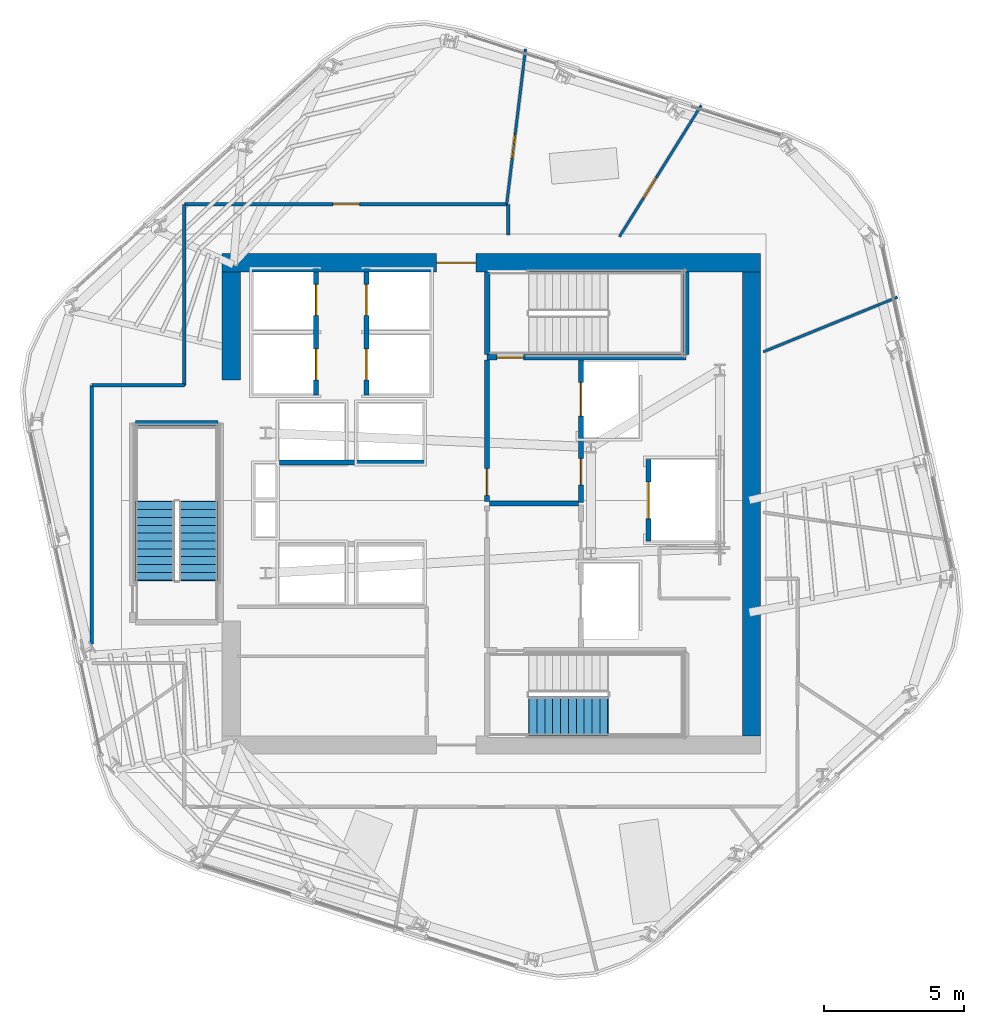
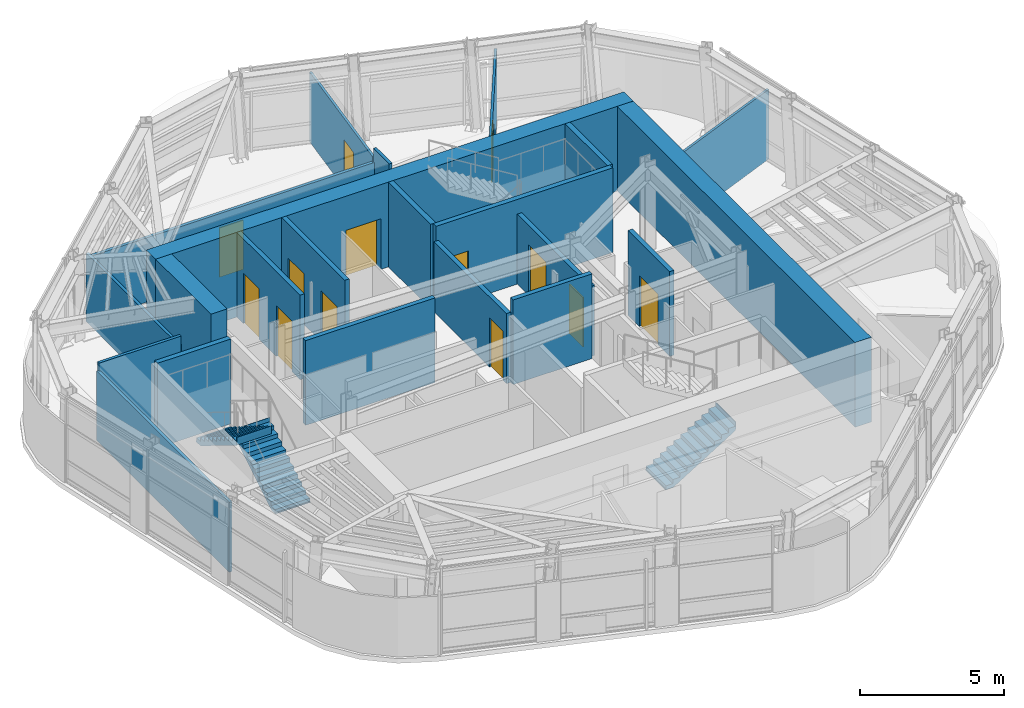
# One storey, part 9 of 15: 22 walls, 13 doors, 3 stair flights, 13 openings, 2 elements without a shape of their own.
"""IFC4 building model written with IfcOpenShell, lengths in metres."""

from ifc_helpers import new_model, si_unit, direction, frame, frame_2d, origin, place, context, subcontext, project, spatial, polyline, rectangle, outline, extrude, material, layer, layer_set, type_object, element, fill, aggregate, save


model = new_model("IFC4")

# Units and contexts
model_context = context("Model", 3, precision=1e-05, world=origin(), true_north=direction((0.0, 1.0)))
body_context = subcontext(model_context, "Body", "Model", "MODEL_VIEW")
ifc_project = project(units=[si_unit("LENGTHUNIT", "METRE"), si_unit("AREAUNIT", "SQUARE_METRE"), si_unit("VOLUMEUNIT", "CUBIC_METRE"), si_unit("PLANEANGLEUNIT", "RADIAN"), si_unit("MASSUNIT", "GRAM", prefix="KILO")], contexts=[model_context])

# Site, building, storey
site_placement = place(None, origin())
site = spatial("IfcSite", under=ifc_project, at=site_placement, CompositionType="ELEMENT")
building_placement = place(site_placement, origin())
building = spatial("IfcBuilding", under=site, at=building_placement, Name="Valkerne Bourse Tower", CompositionType="ELEMENT")
storey_placement = place(building_placement, frame((0.0, 0.0, 205.60009765625)))
storey = spatial("IfcBuildingStorey", under=building, at=storey_placement, Name="L52", CompositionType="ELEMENT", Elevation=205.60009765625)

# Wall, opening, door
ifc_material_1 = material(Name="Concrete C55/67", Category="concrete")
ifc_layer_1 = layer(ifc_material_1, 0.64990234375)
ifc_layer_set_1 = layer_set([ifc_layer_1], Name="Concrete C55/67")
wall_type_1 = type_object("IfcWallType", Name="W-CORE-650", PredefinedType="SHEAR", material=ifc_layer_set_1)
wall_1_placement = place(storey_placement, frame((37.199951171875, 35.47509765625, 0.0), z_axis=(0.0, 0.0, 1.0), x_axis=(1.0, 0.0, 0.0)))
wall_1 = element("IfcWall", 1, at=wall_1_placement, inside=storey, type_object=wall_type_1, Name="L52 Core Shear Wall NORTH", PredefinedType="SHEAR", context=body_context, shape_type="SweptSolid", body=[
    extrude(rectangle(XDim=19.199951171875, YDim=0.64990234375, at=frame_2d((9.60009765625, 0.0))), origin(), (0.0, 0.0, 1.0), 3.599853515625),
])
opening_1_placement = place(wall_1_placement, frame((7.64990234375, 0.0, 0.0)))
opening_1 = element("IfcOpeningElement", 2, at=opening_1_placement, cuts=wall_1, Name="Opening D-PL-1400", PredefinedType="OPENING", context=body_context, shape_type="SweptSolid", body=[
    extrude(rectangle(XDim=1.39990234375, YDim=2.14990234375, at=frame_2d((0.699951171875, 1.074951171875))), frame((0.0, 0.3349609375, 0.0), z_axis=(0.0, -1.0, 0.0), x_axis=(1.0, 0.0, 0.0)), (0.0, 0.0, 1.0), 0.669921875),
])
ifc_material_2 = material(Name="Galvanised Painted Steel", Category="steel")
door_type_1 = type_object("IfcDoorType", Name="DR-PLT-1400", OperationType="DOUBLE_DOOR_SINGLE_SWING", PredefinedType="DOOR", material=ifc_material_2)
door_1_placement = place(opening_1_placement, origin())
door_1 = element("IfcDoor", 3, at=door_1_placement, inside=storey, type_object=door_type_1, Name="L52 North Passenger Lift Hall Fire Door", OperationType="DOUBLE_DOOR_SINGLE_SWING", OverallHeight=2.14990234375, OverallWidth=1.39990234375, PredefinedType="DOOR", context=body_context, shape_type="SweptSolid", body=[
    extrude(rectangle(XDim=1.39990234375, YDim=2.14990234375, at=frame_2d((0.699951171875, 1.074951171875))), frame((0.0, 0.02490234375, 0.0), z_axis=(0.0, -1.0, 0.0), x_axis=(1.0, 0.0, 0.0)), (0.0, 0.0, 1.0), 0.050048828125),
])
fill(opening_1, door_1)

# Walls
wall_2_placement = place(storey_placement, frame((56.074951171875, 18.60009765625, 0.0), z_axis=(0.0, 0.0, 1.0), x_axis=(0.0, 1.0, 0.0)))
element("IfcWall", 4, at=wall_2_placement, inside=storey, type_object=wall_type_1, Name="L52 Core Shear Wall EAST", PredefinedType="SHEAR", context=body_context, shape_type="SweptSolid", body=[
    extrude(rectangle(XDim=16.5498046875, YDim=0.64990234375, at=frame_2d((8.27490234375, 0.0))), origin(), (0.0, 0.0, 1.0), 3.599853515625),
])
wall_3_placement = place(storey_placement, frame((37.52490234375, 31.300048828125, 0.0), z_axis=(0.0, 0.0, 1.0), x_axis=(0.0, 1.0, 0.0)))
element("IfcWall", 5, at=wall_3_placement, inside=storey, type_object=wall_type_1, Name="L52 Core Shear Wall WEST-N", PredefinedType="SHEAR", context=body_context, shape_type="SweptSolid", body=[
    extrude(rectangle(XDim=3.849853515625, YDim=0.64990234375, at=frame_2d((1.9248046875, 0.0))), origin(), (0.0, 0.0, 1.0), 3.599853515625),
])
ifc_material_3 = material(Name="Gypsum Board Steel-Stud Partition", Category="steel")
ifc_layer_2 = layer(ifc_material_3, 0.117919921875)
ifc_layer_set_2 = layer_set([ifc_layer_2], Name="Gypsum Board Steel-Stud Partition")
wall_type_2 = type_object("IfcWallType", Name="W-CORR-140", PredefinedType="PARTITIONING", material=ifc_layer_set_2)
wall_4_placement = place(storey_placement, frame((32.550048828125, 21.873291015625, 0.0), z_axis=(0.0, 0.0, 1.0), x_axis=(0.0, 1.0, 0.0)))
element("IfcWall", 6, at=wall_4_placement, inside=storey, type_object=wall_type_2, Name="L52 Corridor Enclosure Wall", PredefinedType="PARTITIONING", context=body_context, shape_type="SweptSolid", body=[
    extrude(rectangle(XDim=9.226806640625, YDim=0.117919921875, at=frame_2d((4.61328125, 0.0))), origin(), (0.0, 0.0, 1.0), 2.96240234375),
])
wall_5_placement = place(storey_placement, frame((32.550048828125, 31.10009765625, 0.0), z_axis=(0.0, 0.0, 1.0), x_axis=(1.0, 0.0, 0.0)))
element("IfcWall", 7, at=wall_5_placement, inside=storey, type_object=wall_type_2, Name="L52 Corridor Enclosure Wall", PredefinedType="PARTITIONING", context=body_context, shape_type="SweptSolid", body=[
    extrude(rectangle(XDim=3.300048828125, YDim=0.117919921875, at=frame_2d((1.64990234375, 0.0))), origin(), (0.0, 0.0, 1.0), 3.2998046875),
])
wall_6_placement = place(storey_placement, frame((35.85009765625, 31.10009765625, 0.0), z_axis=(0.0, 0.0, 1.0), x_axis=(0.0, 1.0, 0.0)))
element("IfcWall", 8, at=wall_6_placement, inside=storey, type_object=wall_type_2, Name="L52 Corridor Enclosure Wall", PredefinedType="PARTITIONING", context=body_context, shape_type="SweptSolid", body=[
    extrude(rectangle(XDim=6.4599609375, YDim=0.117919921875, at=frame_2d((3.22998046875, 0.0))), origin(), (0.0, 0.0, 1.0), 2.896484375),
])

# Wall, opening, door
wall_7_placement = place(storey_placement, frame((35.85009765625, 37.56005859375, 0.0), z_axis=(0.0, 0.0, 1.0), x_axis=(1.0, 0.0, 0.0)))
wall_7 = element("IfcWall", 9, at=wall_7_placement, inside=storey, type_object=wall_type_2, Name="L52 Corridor Enclosure Wall", PredefinedType="PARTITIONING", context=body_context, shape_type="SweptSolid", body=[
    extrude(rectangle(XDim=11.5498046875, YDim=0.117919921875, at=frame_2d((5.77490234375, 0.0))), origin(), (0.0, 0.0, 1.0), 2.7314453125),
])
opening_2_placement = place(wall_7_placement, frame((5.300048828125, 0.0, 0.0)))
opening_2 = element("IfcOpeningElement", 10, at=opening_2_placement, cuts=wall_7, Name="Opening D-OF-950", PredefinedType="OPENING", context=body_context, shape_type="SweptSolid", body=[
    extrude(rectangle(XDim=0.949951171875, YDim=2.10009765625, at=frame_2d((0.47509765625, 1.050048828125))), frame((0.0, 0.06884765625, 0.0), z_axis=(0.0, -1.0, 0.0), x_axis=(1.0, 0.0, 0.0)), (0.0, 0.0, 1.0), 0.137939453125),
])
ifc_material_4 = material(Name="Architectural White Oak Timber", Category="wood")
door_type_2 = type_object("IfcDoorType", Name="DR-OFF-950", OperationType="NOTDEFINED", PredefinedType="DOOR", material=ifc_material_4)
door_2_placement = place(opening_2_placement, origin())
door_2 = element("IfcDoor", 11, at=door_2_placement, inside=storey, type_object=door_type_2, Name="L52 L52 Hospitality Catering Kitchen 10 Door", OperationType="SINGLE_SWING_LEFT", OverallHeight=2.10009765625, OverallWidth=0.949951171875, PredefinedType="DOOR", context=body_context, shape_type="SweptSolid", body=[
    extrude(rectangle(XDim=0.949951171875, YDim=2.10009765625, at=frame_2d((0.47509765625, 1.050048828125))), frame((0.0, 0.02490234375, 0.0), z_axis=(0.0, -1.0, 0.0), x_axis=(1.0, 0.0, 0.0)), (0.0, 0.0, 1.0), 0.050048828125),
])
fill(opening_2, door_2)

# Walls
wall_8_placement = place(storey_placement, frame((47.39990234375, 37.56005859375, 0.0), z_axis=(0.0, 0.0, 1.0), x_axis=(0.0, -1.0, 0.0)))
element("IfcWall", 12, at=wall_8_placement, inside=storey, type_object=wall_type_2, Name="L52 Corridor Enclosure Wall", PredefinedType="PARTITIONING", context=body_context, shape_type="SweptSolid", body=[
    extrude(rectangle(XDim=1.10009765625, YDim=0.117919921875, at=frame_2d((0.550048828125, 0.0))), origin(), (0.0, 0.0, 1.0), 3.2998046875),
])
ifc_material_5 = material(Name="Gypsum Fire-Rated Shaftwall", Category="gypsum")
ifc_layer_3 = layer(ifc_material_5, 0.179931640625)
ifc_layer_set_3 = layer_set([ifc_layer_3], Name="Gypsum Fire-Rated Shaftwall")
wall_type_3 = type_object("IfcWallType", Name="W-FSAE-180", PredefinedType="PARTITIONING", material=ifc_layer_set_3)
wall_9_placement = place(storey_placement, frame((46.739990234375, 26.8798828125, 0.0), z_axis=(0.0, 0.0, 1.0), x_axis=(1.0, 0.0, 0.0)))
element("IfcWall", 13, at=wall_9_placement, inside=storey, type_object=wall_type_3, Name="L52 FSAE-1/2 Lobby Dividing Fire Wall", PredefinedType="PARTITIONING", context=body_context, shape_type="SweptSolid", body=[
    extrude(rectangle(XDim=3.169921875, YDim=0.179931640625, at=frame_2d((1.5849609375, 0.0))), origin(), (0.0, 0.0, 1.0), 3.599853515625),
])

# Wall, opening, door
wall_10_placement = place(storey_placement, frame((46.64990234375, 26.9599609375, 0.0), z_axis=(0.0, 0.0, 1.0), x_axis=(0.0, 1.0, 0.0)))
wall_10 = element("IfcWall", 14, at=wall_10_placement, inside=storey, type_object=wall_type_3, Name="L52 FSAE-2 Lobby West Fire Wall", PredefinedType="PARTITIONING", context=body_context, shape_type="SweptSolid", body=[
    extrude(rectangle(XDim=5.0400390625, YDim=0.179931640625, at=frame_2d((2.52001953125, 0.0))), origin(), (0.0, 0.0, 1.0), 2.977783203125),
])
opening_3_placement = place(wall_10_placement, frame((0.219970703125, 0.0, 0.0)))
opening_3 = element("IfcOpeningElement", 15, at=opening_3_placement, cuts=wall_10, Name="Opening D-FS-950", PredefinedType="OPENING", context=body_context, shape_type="SweptSolid", body=[
    extrude(rectangle(XDim=0.949951171875, YDim=2.10009765625, at=frame_2d((0.47509765625, 1.050048828125))), frame((0.0, 0.099853515625, 0.0), z_axis=(0.0, -1.0, 0.0), x_axis=(1.0, 0.0, 0.0)), (0.0, 0.0, 1.0), 0.199951171875),
])
door_type_3 = type_object("IfcDoorType", Name="DR-FSAE-950", OperationType="NOTDEFINED", PredefinedType="DOOR", material=ifc_material_2)
door_3_placement = place(opening_3_placement, origin())
door_3 = element("IfcDoor", 16, at=door_3_placement, inside=storey, type_object=door_type_3, Name="L52 FSAE-2 Hall Link Fire Door", OperationType="SINGLE_SWING_LEFT", OverallHeight=2.10009765625, OverallWidth=0.949951171875, PredefinedType="DOOR", context=body_context, shape_type="SweptSolid", body=[
    extrude(rectangle(XDim=0.949951171875, YDim=2.10009765625, at=frame_2d((0.47509765625, 1.050048828125))), frame((0.0, 0.02490234375, 0.0), z_axis=(0.0, -1.0, 0.0), x_axis=(1.0, 0.0, 0.0)), (0.0, 0.0, 1.0), 0.050048828125),
])
fill(opening_3, door_3)

# Wall, openings, doors
wall_11_placement = place(storey_placement, frame((50.0, 26.919921875, 0.0), z_axis=(0.0, 0.0, 1.0), x_axis=(0.0, 1.0, 0.0)))
wall_11 = element("IfcWall", 17, at=wall_11_placement, inside=storey, type_object=wall_type_3, Name="L52 FSAE-2 Lobby & Shaft Front Wall", PredefinedType="PARTITIONING", context=body_context, shape_type="SweptSolid", body=[
    extrude(rectangle(XDim=5.080078125, YDim=0.179931640625, at=frame_2d((2.5400390625, 0.0))), origin(), (0.0, 0.0, 1.0), 2.977783203125),
])
opening_4_placement = place(wall_11_placement, frame((3.080078125, 0.0, 0.0)))
opening_4 = element("IfcOpeningElement", 18, at=opening_4_placement, cuts=wall_11, Name="Opening LD-1200", PredefinedType="OPENING", context=body_context, shape_type="SweptSolid", body=[
    extrude(rectangle(XDim=1.199951171875, YDim=2.14990234375, at=frame_2d((0.60009765625, 1.074951171875))), frame((0.0, 0.099853515625, 0.0), z_axis=(0.0, -1.0, 0.0), x_axis=(1.0, 0.0, 0.0)), (0.0, 0.0, 1.0), 0.199951171875),
])
opening_5_placement = place(wall_11_placement, frame((0.6298828125, 0.0, 0.0)))
opening_5 = element("IfcOpeningElement", 19, at=opening_5_placement, cuts=wall_11, Name="Opening D-FS-950", PredefinedType="OPENING", context=body_context, shape_type="SweptSolid", body=[
    extrude(rectangle(XDim=0.949951171875, YDim=2.10009765625, at=frame_2d((0.47509765625, 1.050048828125))), frame((0.0, 0.099853515625, 0.0), z_axis=(0.0, -1.0, 0.0), x_axis=(1.0, 0.0, 0.0)), (0.0, 0.0, 1.0), 0.199951171875),
])
door_4_placement = place(opening_5_placement, origin())
door_4 = element("IfcDoor", 20, at=door_4_placement, inside=storey, type_object=door_type_3, Name="L52 FSAE-2 Lobby Corridor Fire Door", OperationType="SINGLE_SWING_LEFT", OverallHeight=2.10009765625, OverallWidth=0.949951171875, PredefinedType="DOOR", context=body_context, shape_type="SweptSolid", body=[
    extrude(rectangle(XDim=0.949951171875, YDim=2.10009765625, at=frame_2d((0.47509765625, 1.050048828125))), frame((0.0, 0.02490234375, 0.0), z_axis=(0.0, -1.0, 0.0), x_axis=(1.0, 0.0, 0.0)), (0.0, 0.0, 1.0), 0.050048828125),
])
fill(opening_5, door_4)
ifc_material_6 = material(Name="Stainless Steel AISI 316", Category="steel")
door_type_4 = type_object("IfcDoorType", Name="DR-LIFT-1200", OperationType="DOUBLE_DOOR_SLIDING", PredefinedType="DOOR", material=ifc_material_6)
door_5_placement = place(opening_4_placement, origin())
door_5 = element("IfcDoor", 21, at=door_5_placement, inside=storey, type_object=door_type_4, Name="L52 FSAE-2 Firefighting Lift Landing Door", OperationType="DOUBLE_DOOR_SLIDING", OverallHeight=2.14990234375, OverallWidth=1.199951171875, PredefinedType="DOOR", context=body_context, shape_type="SweptSolid", body=[
    extrude(rectangle(XDim=1.199951171875, YDim=2.14990234375, at=frame_2d((0.60009765625, 1.074951171875))), frame((0.0, 0.02490234375, 0.0), z_axis=(0.0, -1.0, 0.0), x_axis=(1.0, 0.0, 0.0)), (0.0, 0.0, 1.0), 0.050048828125),
])
fill(opening_4, door_5)

# Wall, opening, door
ifc_material_7 = material(Name="CMU Blockwork Masonry 200mm", Category="masonry")
ifc_layer_4 = layer(ifc_material_7, 0.179931640625)
ifc_layer_set_4 = layer_set([ifc_layer_4], Name="CMU Blockwork Masonry 200mm")
wall_type_4 = type_object("IfcWallType", Name="W-LFT-180", PredefinedType="SOLIDWALL", material=ifc_layer_set_4)
wall_12_placement = place(storey_placement, frame((52.39990234375, 25.550048828125, 0.0), z_axis=(0.0, 0.0, 1.0), x_axis=(0.0, 1.0, 0.0)))
wall_12 = element("IfcWall", 22, at=wall_12_placement, inside=storey, type_object=wall_type_4, Name="L52 Service Lift SV-1 Front Wall", PredefinedType="SOLIDWALL", context=body_context, shape_type="SweptSolid", body=[
    extrude(rectangle(XDim=2.89990234375, YDim=0.179931640625, at=frame_2d((1.449951171875, 0.0))), origin(), (0.0, 0.0, 1.0), 3.599853515625),
])
opening_6_placement = place(wall_12_placement, frame((0.800048828125, 0.0, 0.0)))
opening_6 = element("IfcOpeningElement", 23, at=opening_6_placement, cuts=wall_12, Name="Opening LD-1300", PredefinedType="OPENING", context=body_context, shape_type="SweptSolid", body=[
    extrude(rectangle(XDim=1.300048828125, YDim=2.14990234375, at=frame_2d((0.64990234375, 1.074951171875))), frame((0.0, 0.099853515625, 0.0), z_axis=(0.0, -1.0, 0.0), x_axis=(1.0, 0.0, 0.0)), (0.0, 0.0, 1.0), 0.199951171875),
])
door_type_5 = type_object("IfcDoorType", Name="DR-LIFT-1300", OperationType="DOUBLE_DOOR_SLIDING", PredefinedType="DOOR", material=ifc_material_6)
door_6_placement = place(opening_6_placement, origin())
door_6 = element("IfcDoor", 24, at=door_6_placement, inside=storey, type_object=door_type_5, Name="L52 Service Lift SV-1 Landing Door", OperationType="DOUBLE_DOOR_SLIDING", OverallHeight=2.14990234375, OverallWidth=1.300048828125, PredefinedType="DOOR", context=body_context, shape_type="SweptSolid", body=[
    extrude(rectangle(XDim=1.300048828125, YDim=2.14990234375, at=frame_2d((0.64990234375, 1.074951171875))), frame((0.0, 0.02490234375, 0.0), z_axis=(0.0, -1.0, 0.0), x_axis=(1.0, 0.0, 0.0)), (0.0, 0.0, 1.0), 0.050048828125),
])
fill(opening_6, door_6)

# Wall, openings, doors
wall_13_placement = place(storey_placement, frame((40.550048828125, 30.75, 0.0), z_axis=(0.0, 0.0, 1.0), x_axis=(0.0, 1.0, 0.0)))
wall_13 = element("IfcWall", 25, at=wall_13_placement, inside=storey, type_object=wall_type_4, Name="L52 Mid-Zone West Cars Front Wall", PredefinedType="SOLIDWALL", context=body_context, shape_type="SweptSolid", body=[
    extrude(rectangle(XDim=4.39990234375, YDim=0.179931640625, at=frame_2d((2.199951171875, 0.0))), origin(), (0.0, 0.0, 1.0), 3.599853515625),
])
opening_7_placement = place(wall_13_placement, frame((0.550048828125, 0.0, 0.0)))
opening_7 = element("IfcOpeningElement", 26, at=opening_7_placement, cuts=wall_13, Name="Opening LD-1100", PredefinedType="OPENING", context=body_context, shape_type="SweptSolid", body=[
    extrude(rectangle(XDim=1.10009765625, YDim=2.14990234375, at=frame_2d((0.550048828125, 1.074951171875))), frame((0.0, 0.099853515625, 0.0), z_axis=(0.0, -1.0, 0.0), x_axis=(1.0, 0.0, 0.0)), (0.0, 0.0, 1.0), 0.199951171875),
])
opening_8_placement = place(wall_13_placement, frame((2.85009765625, 0.0, 0.0)))
opening_8 = element("IfcOpeningElement", 27, at=opening_8_placement, cuts=wall_13, Name="Opening LD-1100", PredefinedType="OPENING", context=body_context, shape_type="SweptSolid", body=[
    extrude(rectangle(XDim=1.10009765625, YDim=2.14990234375, at=frame_2d((0.550048828125, 1.074951171875))), frame((0.0, 0.099853515625, 0.0), z_axis=(0.0, -1.0, 0.0), x_axis=(1.0, 0.0, 0.0)), (0.0, 0.0, 1.0), 0.199951171875),
])
door_type_6 = type_object("IfcDoorType", Name="DR-LIFT-1100", OperationType="DOUBLE_DOOR_SLIDING", PredefinedType="DOOR", material=ifc_material_6)
door_7_placement = place(opening_7_placement, origin())
door_7 = element("IfcDoor", 28, at=door_7_placement, inside=storey, type_object=door_type_6, Name="L52 Passenger Lift PL-M1 Sliding Landing Door", OperationType="DOUBLE_DOOR_SLIDING", OverallHeight=2.14990234375, OverallWidth=1.10009765625, PredefinedType="DOOR", context=body_context, shape_type="SweptSolid", body=[
    extrude(rectangle(XDim=1.10009765625, YDim=2.14990234375, at=frame_2d((0.550048828125, 1.074951171875))), frame((0.0, 0.02490234375, 0.0), z_axis=(0.0, -1.0, 0.0), x_axis=(1.0, 0.0, 0.0)), (0.0, 0.0, 1.0), 0.050048828125),
])
fill(opening_7, door_7)
door_8_placement = place(opening_8_placement, origin())
door_8 = element("IfcDoor", 29, at=door_8_placement, inside=storey, type_object=door_type_6, Name="L52 Passenger Lift PL-M2 Sliding Landing Door", OperationType="DOUBLE_DOOR_SLIDING", OverallHeight=2.14990234375, OverallWidth=1.10009765625, PredefinedType="DOOR", context=body_context, shape_type="SweptSolid", body=[
    extrude(rectangle(XDim=1.10009765625, YDim=2.14990234375, at=frame_2d((0.550048828125, 1.074951171875))), frame((0.0, 0.02490234375, 0.0), z_axis=(0.0, -1.0, 0.0), x_axis=(1.0, 0.0, 0.0)), (0.0, 0.0, 1.0), 0.050048828125),
])
fill(opening_8, door_8)

wall_14_placement = place(storey_placement, frame((42.35009765625, 30.75, 0.0), z_axis=(0.0, 0.0, 1.0), x_axis=(0.0, 1.0, 0.0)))
wall_14 = element("IfcWall", 30, at=wall_14_placement, inside=storey, type_object=wall_type_4, Name="L52 Mid-Zone East Cars Front Wall", PredefinedType="SOLIDWALL", context=body_context, shape_type="SweptSolid", body=[
    extrude(rectangle(XDim=4.39990234375, YDim=0.179931640625, at=frame_2d((2.199951171875, 0.0))), origin(), (0.0, 0.0, 1.0), 3.599853515625),
])
opening_9_placement = place(wall_14_placement, frame((0.550048828125, 0.0, 0.0)))
opening_9 = element("IfcOpeningElement", 31, at=opening_9_placement, cuts=wall_14, Name="Opening LD-1100", PredefinedType="OPENING", context=body_context, shape_type="SweptSolid", body=[
    extrude(rectangle(XDim=1.10009765625, YDim=2.14990234375, at=frame_2d((0.550048828125, 1.074951171875))), frame((0.0, 0.099853515625, 0.0), z_axis=(0.0, -1.0, 0.0), x_axis=(1.0, 0.0, 0.0)), (0.0, 0.0, 1.0), 0.199951171875),
])
opening_10_placement = place(wall_14_placement, frame((2.85009765625, 0.0, 0.0)))
opening_10 = element("IfcOpeningElement", 32, at=opening_10_placement, cuts=wall_14, Name="Opening LD-1100", PredefinedType="OPENING", context=body_context, shape_type="SweptSolid", body=[
    extrude(rectangle(XDim=1.10009765625, YDim=2.14990234375, at=frame_2d((0.550048828125, 1.074951171875))), frame((0.0, 0.099853515625, 0.0), z_axis=(0.0, -1.0, 0.0), x_axis=(1.0, 0.0, 0.0)), (0.0, 0.0, 1.0), 0.199951171875),
])
door_9_placement = place(opening_9_placement, origin())
door_9 = element("IfcDoor", 33, at=door_9_placement, inside=storey, type_object=door_type_6, Name="L52 Passenger Lift PL-M3 Sliding Landing Door", OperationType="DOUBLE_DOOR_SLIDING", OverallHeight=2.14990234375, OverallWidth=1.10009765625, PredefinedType="DOOR", context=body_context, shape_type="SweptSolid", body=[
    extrude(rectangle(XDim=1.10009765625, YDim=2.14990234375, at=frame_2d((0.550048828125, 1.074951171875))), frame((0.0, 0.02490234375, 0.0), z_axis=(0.0, -1.0, 0.0), x_axis=(1.0, 0.0, 0.0)), (0.0, 0.0, 1.0), 0.050048828125),
])
fill(opening_9, door_9)
door_10_placement = place(opening_10_placement, origin())
door_10 = element("IfcDoor", 34, at=door_10_placement, inside=storey, type_object=door_type_6, Name="L52 Passenger Lift PL-M4 Sliding Landing Door", OperationType="DOUBLE_DOOR_SLIDING", OverallHeight=2.14990234375, OverallWidth=1.10009765625, PredefinedType="DOOR", context=body_context, shape_type="SweptSolid", body=[
    extrude(rectangle(XDim=1.10009765625, YDim=2.14990234375, at=frame_2d((0.550048828125, 1.074951171875))), frame((0.0, 0.02490234375, 0.0), z_axis=(0.0, -1.0, 0.0), x_axis=(1.0, 0.0, 0.0)), (0.0, 0.0, 1.0), 0.050048828125),
])
fill(opening_10, door_10)

# Walls
wall_15_placement = place(storey_placement, frame((39.25, 28.35009765625, 0.0), z_axis=(0.0, 0.0, 1.0), x_axis=(1.0, 0.0, 0.0)))
element("IfcWall", 35, at=wall_15_placement, inside=storey, type_object=wall_type_4, Name="L52 High-Zone North Cars Front Wall", PredefinedType="SOLIDWALL", context=body_context, shape_type="SweptSolid", body=[
    extrude(rectangle(XDim=5.199951171875, YDim=0.179931640625, at=frame_2d((2.60009765625, 0.0))), origin(), (0.0, 0.0, 1.0), 3.599853515625),
])
ifc_layer_5 = layer(ifc_material_3, 0.092041015625)
ifc_layer_set_5 = layer_set([ifc_layer_5], Name="Gypsum Board Steel-Stud Partition")
wall_type_5 = type_object("IfcWallType", Name="W-PART-115", PredefinedType="PARTITIONING", material=ifc_layer_set_5)
wall_16_placement = place(storey_placement, frame((56.5, 32.297119140625, 0.0), z_axis=(0.0, 0.0, 1.0), x_axis=(0.926078292043, 0.377331415344, 0.0)))
element("IfcWall", 36, at=wall_16_placement, inside=storey, type_object=wall_type_5, Name="L52 Suite Partition P06", PredefinedType="PARTITIONING", context=body_context, shape_type="SweptSolid", body=[
    extrude(rectangle(XDim=5.165771484375, YDim=0.092041015625, at=frame_2d((2.5830078125, 0.0))), origin(), (0.0, 0.0, 1.0), 2.96240234375),
])

# Wall, opening, door
wall_17_placement = place(storey_placement, frame((51.36767578125, 36.39990234375, 0.0), z_axis=(0.0, 0.0, 1.0), x_axis=(0.528527795908, 0.848915996405, 0.0)))
wall_17 = element("IfcWall", 37, at=wall_17_placement, inside=storey, type_object=wall_type_5, Name="L52 Suite Partition P07", PredefinedType="PARTITIONING", context=body_context, shape_type="SweptSolid", body=[
    extrude(rectangle(XDim=5.522216796875, YDim=0.092041015625, at=frame_2d((2.76123046875, 0.0))), origin(), (0.0, 0.0, 1.0), 2.96240234375),
])
opening_11_placement = place(wall_17_placement, frame((1.631591796875, 0.0, 0.0)))
opening_11 = element("IfcOpeningElement", 38, at=opening_11_placement, cuts=wall_17, Name="Opening D-WC-900", PredefinedType="OPENING", context=body_context, shape_type="SweptSolid", body=[
    extrude(rectangle(XDim=0.860107421875, YDim=2.050048828125, at=frame_2d((0.43017578125, 1.02490234375))), frame((0.0, 0.055908203125, 0.0), z_axis=(0.0, -1.0, 0.0), x_axis=(1.0, 0.0, 0.0)), (0.0, 0.0, 1.0), 0.112060546875),
])
door_type_7 = type_object("IfcDoorType", Name="DR-WC-900", OperationType="NOTDEFINED", PredefinedType="DOOR", material=ifc_material_4)
door_11_placement = place(opening_11_placement, origin())
door_11 = element("IfcDoor", 39, at=door_11_placement, inside=storey, type_object=door_type_7, Name="L52 L52 Hospitality Catering Kitchen 9 Suite Door", OperationType="SINGLE_SWING_RIGHT", OverallHeight=2.050048828125, OverallWidth=0.860107421875, PredefinedType="DOOR", context=body_context, shape_type="SweptSolid", body=[
    extrude(rectangle(XDim=0.860107421875, YDim=2.050048828125, at=frame_2d((0.43017578125, 1.02490234375))), frame((0.0, 0.02490234375, 0.0), z_axis=(0.0, -1.0, 0.0), x_axis=(1.0, 0.0, 0.0)), (0.0, 0.0, 1.0), 0.050048828125),
])
fill(opening_11, door_11)

wall_18_placement = place(storey_placement, frame((47.34814453125, 37.56494140625, 0.0), z_axis=(0.0, 0.0, 1.0), x_axis=(0.120433381042, 0.99272141144, 0.0)))
wall_18 = element("IfcWall", 40, at=wall_18_placement, inside=storey, type_object=wall_type_5, Name="L52 Suite Partition P08", PredefinedType="PARTITIONING", context=body_context, shape_type="SweptSolid", body=[
    extrude(rectangle(XDim=5.57470703125, YDim=0.092041015625, at=frame_2d((2.787353515625, 0.0))), origin(), (0.0, 0.0, 1.0), 2.96240234375),
])
opening_12_placement = place(wall_18_placement, frame((1.650146484375, 0.0, 0.0)))
opening_12 = element("IfcOpeningElement", 41, at=opening_12_placement, cuts=wall_18, Name="Opening D-WC-900", PredefinedType="OPENING", context=body_context, shape_type="SweptSolid", body=[
    extrude(rectangle(XDim=0.860107421875, YDim=2.050048828125, at=frame_2d((0.43017578125, 1.02490234375))), frame((0.0, 0.055908203125, 0.0), z_axis=(0.0, -1.0, 0.0), x_axis=(1.0, 0.0, 0.0)), (0.0, 0.0, 1.0), 0.112060546875),
])
door_12_placement = place(opening_12_placement, origin())
door_12 = element("IfcDoor", 42, at=door_12_placement, inside=storey, type_object=door_type_7, Name="L52 L52 VIP Client Concierge Reception 7 Suite Door", OperationType="SINGLE_SWING_RIGHT", OverallHeight=2.050048828125, OverallWidth=0.860107421875, PredefinedType="DOOR", context=body_context, shape_type="SweptSolid", body=[
    extrude(rectangle(XDim=0.860107421875, YDim=2.050048828125, at=frame_2d((0.43017578125, 1.02490234375))), frame((0.0, 0.02490234375, 0.0), z_axis=(0.0, -1.0, 0.0), x_axis=(1.0, 0.0, 0.0)), (0.0, 0.0, 1.0), 0.050048828125),
])
fill(opening_12, door_12)

ifc_material_8 = material(Name="Concrete C40/50", Category="concrete")
ifc_layer_6 = layer(ifc_material_8, 0.199951171875)
ifc_layer_set_6 = layer_set([ifc_layer_6], Name="Concrete C40/50")
wall_type_6 = type_object("IfcWallType", Name="W-SHF-200", PredefinedType="SHEAR", material=ifc_layer_set_6)
wall_19_placement = place(storey_placement, frame((46.64990234375, 32.10009765625, 0.0), z_axis=(0.0, 0.0, 1.0), x_axis=(1.0, 0.0, 0.0)))
wall_19 = element("IfcWall", 43, at=wall_19_placement, inside=storey, type_object=wall_type_6, Name="L52 Exit Stair ST-2 Structural Shaft Wall South", PredefinedType="SHEAR", context=body_context, shape_type="SweptSolid", body=[
    extrude(rectangle(XDim=7.10009765625, YDim=0.199951171875, at=frame_2d((3.550048828125, 0.0))), origin(), (0.0, 0.0, 1.0), 3.599853515625),
])
opening_13_placement = place(wall_19_placement, frame((0.35009765625, 0.0, 0.0)))
opening_13 = element("IfcOpeningElement", 44, at=opening_13_placement, cuts=wall_19, Name="Opening D-ST-950", PredefinedType="OPENING", context=body_context, shape_type="SweptSolid", body=[
    extrude(rectangle(XDim=0.949951171875, YDim=2.10009765625, at=frame_2d((0.47509765625, 1.050048828125))), frame((0.0, 0.10986328125, 0.0), z_axis=(0.0, -1.0, 0.0), x_axis=(1.0, 0.0, 0.0)), (0.0, 0.0, 1.0), 0.219970703125),
])
door_type_8 = type_object("IfcDoorType", Name="DR-STAIR-950", OperationType="NOTDEFINED", PredefinedType="DOOR", material=ifc_material_2)
door_13_placement = place(opening_13_placement, origin())
door_13 = element("IfcDoor", 45, at=door_13_placement, inside=storey, type_object=door_type_8, Name="L52 Exit Stair ST-2 Door", OperationType="SINGLE_SWING_RIGHT", OverallHeight=2.10009765625, OverallWidth=0.949951171875, PredefinedType="DOOR", context=body_context, shape_type="SweptSolid", body=[
    extrude(rectangle(XDim=0.949951171875, YDim=2.10009765625, at=frame_2d((0.47509765625, 1.050048828125))), frame((0.0, 0.02490234375, 0.0), z_axis=(0.0, -1.0, 0.0), x_axis=(1.0, 0.0, 0.0)), (0.0, 0.0, 1.0), 0.050048828125),
])
fill(opening_13, door_13)

# Walls
for number, where, z_axis, x_axis, name in (
    (46, (46.64990234375, 32.199951171875, 0.0), (0.0, 0.0, 1.0), (0.0, 1.0, 0.0), "L52 Exit Stair ST-2 Structural Shaft Wall West"),
    (47, (53.75, 32.199951171875, 0.0), (0.0, 0.0, 1.0), (0.0, 1.0, 0.0), "L52 Exit Stair ST-2 Structural Shaft Wall East"),
    (48, (34.10009765625, 29.75, 0.0), (0.0, 0.0, 1.0), (1.0, 0.0, 0.0), "L52 Exit Stair ST-3 Structural Shaft Wall North"),
):
    element("IfcWall", number, at=place(storey_placement, frame(where, z_axis=z_axis, x_axis=x_axis)), inside=storey, type_object=wall_type_6, Name=name, PredefinedType="SHEAR", context=body_context, shape_type="SweptSolid", body=[
        extrude(rectangle(XDim=2.949951171875, YDim=0.199951171875, at=frame_2d((1.47509765625, 0.0))), origin(), (0.0, 0.0, 1.0), 3.599853515625),
    ])

# Stair, stair flight
stair_type = type_object("IfcStairType", Name="ST-CORE-1400", PredefinedType="HALF_TURN_STAIR", material=ifc_material_8)
stair_1_placement = place(storey_placement, origin())
stair_1 = element("IfcStair", 49, at=stair_1_placement, inside=storey, type_object=stair_type, Name="L52 ST-1", PredefinedType="HALF_TURN_STAIR")
stair_flight_type = type_object("IfcStairFlightType", Name="STF-CORE-1400", PredefinedType="STRAIGHT", material=ifc_material_8)
stair_flight_1_placement = place(storey_placement, frame((48.14990234375, 19.300048828125, 0.0), z_axis=(0.0, 0.0, 1.0), x_axis=(1.0, 0.0, 0.0)))
stair_flight_1 = element("IfcStairFlight", 50, at=stair_flight_1_placement, type_object=stair_flight_type, Name="ST-1 flight 1", NumberOfRisers=11, NumberOfTreads=10, PredefinedType="STRAIGHT", RiserHeight=0.172727273, TreadLength=0.28, context=body_context, shape_type="SweptSolid", body=[
    extrude(outline(polyline([(-0.02001953125, 0.0), (-0.02001953125, 0.044921875), (0.0, 0.044921875), (0.0, 0.172607421875), (0.280029296875, 0.172607421875), (0.280029296875, 0.345458984375), (0.56005859375, 0.345458984375), (0.56005859375, 0.51806640625), (0.840087890625, 0.51806640625), (0.840087890625, 0.69091796875), (1.1201171875, 0.69091796875), (1.1201171875, 0.863525390625), (1.39990234375, 0.863525390625), (1.39990234375, 1.036376953125), (1.679931640625, 1.036376953125), (1.679931640625, 1.208984375), (1.9599609375, 1.208984375), (1.9599609375, 1.3818359375), (2.239990234375, 1.3818359375), (2.239990234375, 1.554443359375), (2.52001953125, 1.554443359375), (2.52001953125, 1.727294921875), (2.800048828125, 1.727294921875), (2.800048828125, 1.89990234375), (2.820068359375, 1.89990234375), (2.820068359375, 1.780029296875), (2.800048828125, 1.551025390625), (0.285400390625, 0.0), (-0.02001953125, 0.0)])), frame((0.0, 0.699951171875, 0.0), z_axis=(0.0, -1.0, 0.0), x_axis=(1.0, 0.0, 0.0)), (0.0, 0.0, 1.0), 1.39990234375),
])
aggregate(stair_1, [stair_flight_1])

# Stair, stair flights
stair_2_placement = place(storey_placement, origin())
stair_2 = element("IfcStair", 51, at=stair_2_placement, inside=storey, type_object=stair_type, Name="L52 ST-3", PredefinedType="HALF_TURN_STAIR")
stair_flight_2_placement = place(storey_placement, frame((36.35009765625, 24.14990234375, 0.0), z_axis=(0.0, 0.0, 1.0), x_axis=(0.0, 1.0, 0.0)))
stair_flight_2 = element("IfcStairFlight", 52, at=stair_flight_2_placement, type_object=stair_flight_type, Name="ST-3 flight 1", NumberOfRisers=11, NumberOfTreads=10, PredefinedType="STRAIGHT", RiserHeight=0.172727273, TreadLength=0.28, context=body_context, shape_type="SweptSolid", body=[
    extrude(outline(polyline([(-0.02001953125, 0.0), (-0.02001953125, 0.044921875), (0.0, 0.044921875), (0.0, 0.172607421875), (0.280029296875, 0.172607421875), (0.280029296875, 0.345458984375), (0.56005859375, 0.345458984375), (0.56005859375, 0.51806640625), (0.840087890625, 0.51806640625), (0.840087890625, 0.69091796875), (1.1201171875, 0.69091796875), (1.1201171875, 0.863525390625), (1.39990234375, 0.863525390625), (1.39990234375, 1.036376953125), (1.679931640625, 1.036376953125), (1.679931640625, 1.208984375), (1.9599609375, 1.208984375), (1.9599609375, 1.3818359375), (2.239990234375, 1.3818359375), (2.239990234375, 1.554443359375), (2.52001953125, 1.554443359375), (2.52001953125, 1.727294921875), (2.800048828125, 1.727294921875), (2.800048828125, 1.89990234375), (2.820068359375, 1.89990234375), (2.820068359375, 1.780029296875), (2.800048828125, 1.551025390625), (0.285400390625, 0.0), (-0.02001953125, 0.0)])), frame((0.0, 0.699951171875, 0.0), z_axis=(0.0, -1.0, 0.0), x_axis=(1.0, 0.0, 0.0)), (0.0, 0.0, 1.0), 1.39990234375),
])
stair_flight_3_placement = place(storey_placement, frame((34.800048828125, 26.949951171875, 1.89990234375), z_axis=(0.0, 0.0, 1.0), x_axis=(0.0, -1.0, 0.0)))
stair_flight_3 = element("IfcStairFlight", 53, at=stair_flight_3_placement, type_object=stair_flight_type, Name="ST-3 flight 2", NumberOfRisers=11, NumberOfTreads=10, PredefinedType="STRAIGHT", RiserHeight=0.172727273, TreadLength=0.28, context=body_context, shape_type="SweptSolid", body=[
    extrude(outline(polyline([(-0.02001953125, 0.0), (-0.02001953125, 0.044921875), (0.0, 0.044921875), (0.0, 0.172607421875), (0.280029296875, 0.172607421875), (0.280029296875, 0.345458984375), (0.56005859375, 0.345458984375), (0.56005859375, 0.51806640625), (0.840087890625, 0.51806640625), (0.840087890625, 0.69091796875), (1.1201171875, 0.69091796875), (1.1201171875, 0.863525390625), (1.39990234375, 0.863525390625), (1.39990234375, 1.036376953125), (1.679931640625, 1.036376953125), (1.679931640625, 1.208984375), (1.9599609375, 1.208984375), (1.9599609375, 1.3818359375), (2.239990234375, 1.3818359375), (2.239990234375, 1.554443359375), (2.52001953125, 1.554443359375), (2.52001953125, 1.727294921875), (2.800048828125, 1.727294921875), (2.800048828125, 1.89990234375), (2.820068359375, 1.89990234375), (2.820068359375, 1.780029296875), (2.800048828125, 1.551025390625), (0.285400390625, 0.0), (-0.02001953125, 0.0)])), frame((0.0, 0.699951171875, 0.0), z_axis=(0.0, -1.0, 0.0), x_axis=(1.0, 0.0, 0.0)), (0.0, 0.0, 1.0), 1.39990234375),
])
aggregate(stair_2, [stair_flight_2, stair_flight_3])

save(model, "model.ifc")
